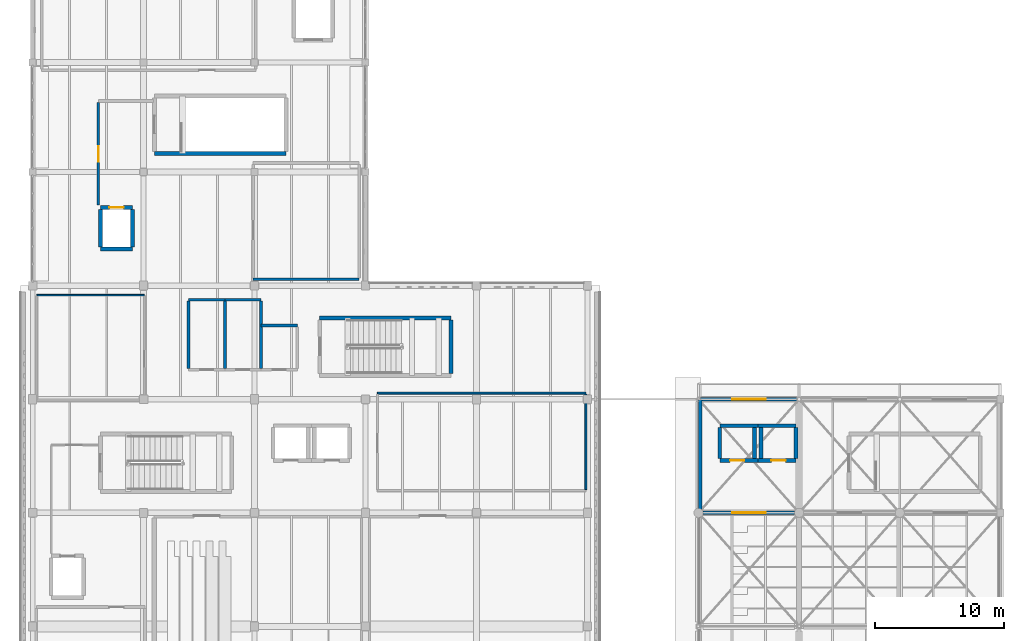
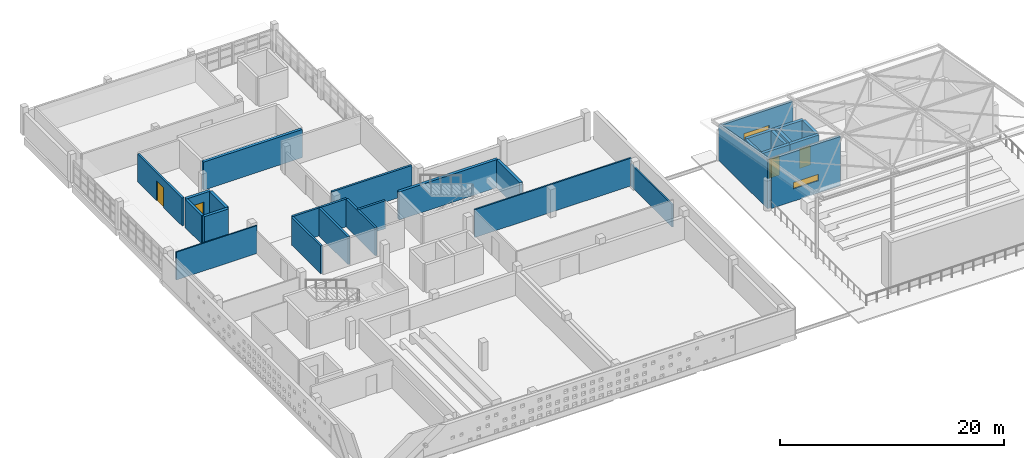
# One storey, part 26 of 34: 29 walls, 4 doors, 2 windows, 6 openings.
"""IFC4 building model written with IfcOpenShell, lengths in metres."""

from ifc_helpers import new_model, si_unit, direction, frame, frame_2d, origin, place, context, subcontext, project, spatial, polyline, rectangle, outline, extrude, material, layer, layer_set, type_object, element, fill, save


model = new_model("IFC4")

# Units and contexts
model_context = context("Model", 3, precision=1e-05, world=origin(), true_north=direction((0.0, 1.0)))
body_context = subcontext(model_context, "Body", "Model", "MODEL_VIEW")
ifc_project = project(units=[si_unit("LENGTHUNIT", "METRE"), si_unit("AREAUNIT", "SQUARE_METRE"), si_unit("VOLUMEUNIT", "CUBIC_METRE"), si_unit("PLANEANGLEUNIT", "RADIAN"), si_unit("MASSUNIT", "GRAM", prefix="KILO")], contexts=[model_context])

# Site, building, storey
site_placement = place(None, origin())
site = spatial("IfcSite", under=ifc_project, at=site_placement, CompositionType="ELEMENT")
building_placement = place(site_placement, origin())
building = spatial("IfcBuilding", under=site, at=building_placement, Name="Varnakota Cinema and Media Centre", CompositionType="ELEMENT")
storey_placement = place(building_placement, frame((0.0, 0.0, 19.050048828125)))
storey = spatial("IfcBuildingStorey", under=building, at=storey_placement, Name="L05", CompositionType="ELEMENT", Elevation=19.050048828125)

# Wall, opening, door
ifc_material_1 = material(Name="Autoclaved aerated concrete blockwork", Category="masonry")
ifc_layer_1 = layer(ifc_material_1, 0.2099609375)
ifc_layer_set_1 = layer_set([ifc_layer_1], Name="Autoclaved aerated concrete blockwork")
wall_type_1 = type_object("IfcWallType", Name="W-ACOUST-210", PredefinedType="PARTITIONING", material=ifc_layer_set_1)
wall_1_placement = place(storey_placement, frame((5.094970703125, 41.449951171875, 0.0), z_axis=(0.0, 0.0, 1.0), x_axis=(0.0, 1.0, 0.0)))
wall_1 = element("IfcWall", 1, at=wall_1_placement, inside=storey, type_object=wall_type_1, Name="L05 RWALL-RM-L05-FF-2 W wall", PredefinedType="PARTITIONING", context=body_context, shape_type="SweptSolid", body=[
    extrude(rectangle(XDim=7.949951171875, YDim=0.2099609375, at=frame_2d((3.97509765625, 0.0))), origin(), (0.0, 0.0, 1.0), 3.0400390625),
])
opening_1_placement = place(wall_1_placement, frame((3.35009765625, 0.0, 0.0)))
opening_1 = element("IfcOpeningElement", 2, at=opening_1_placement, cuts=wall_1, Name="Opening D-016", PredefinedType="OPENING", context=body_context, shape_type="SweptSolid", body=[
    extrude(rectangle(XDim=1.199951171875, YDim=2.14990234375, at=frame_2d((0.60009765625, 1.074951171875))), frame((0.0, 0.10498046875, 0.0), z_axis=(0.0, -1.0, 0.0), x_axis=(1.0, 0.0, 0.0)), (0.0, 0.0, 1.0), 0.2099609375),
])
ifc_material_2 = material(Name="Thermally broken anodised aluminium AW-6063", Category="aluminium")
door_type_1 = type_object("IfcDoorType", Name="DR-STD-1200x2150", OperationType="NOTDEFINED", PredefinedType="DOOR", material=ifc_material_2)
door_1_placement = place(opening_1_placement, origin())
door_1 = element("IfcDoor", 3, at=door_1_placement, inside=storey, type_object=door_type_1, Name="L05 door D-016", OperationType="SINGLE_SWING_RIGHT", OverallHeight=2.14990234375, OverallWidth=1.199951171875, PredefinedType="DOOR", context=body_context, shape_type="SweptSolid", body=[
    extrude(rectangle(XDim=1.199951171875, YDim=2.14990234375, at=frame_2d((0.60009765625, 1.074951171875))), frame((0.0, 0.02490234375, 0.0), z_axis=(0.0, -1.0, 0.0), x_axis=(1.0, 0.0, 0.0)), (0.0, 0.0, 1.0), 0.050048828125),
])
fill(opening_1, door_1)

# Walls
wall_2_placement = place(storey_placement, frame((25.304931640625, 35.695068359375, 0.0), z_axis=(0.0, 0.0, 1.0), x_axis=(-1.0, 0.0, 0.0)))
element("IfcWall", 4, at=wall_2_placement, inside=storey, type_object=wall_type_1, Name="L05 RWALL-RM-L05-BENG S wall", PredefinedType="PARTITIONING", context=body_context, shape_type="SweptSolid", body=[
    extrude(rectangle(XDim=8.2099609375, YDim=0.2099609375, at=frame_2d((4.10498046875, 0.0))), origin(), (0.0, 0.0, 1.0), 3.0400390625),
])
ifc_material_3 = material(Name="Concrete M40", Category="concrete")
ifc_layer_2 = layer(ifc_material_3, 0.300048828125)
ifc_layer_set_2 = layer_set([ifc_layer_2], Name="Concrete M40")
wall_type_2 = type_object("IfcWallType", Name="W-CORE-300", PredefinedType="SHEAR", material=ifc_layer_set_2)
wall_3_placement = place(storey_placement, frame((22.25, 32.699951171875, 0.0), z_axis=(0.0, 0.0, 1.0), x_axis=(1.0, 0.0, 0.0)))
element("IfcWall", 5, at=wall_3_placement, inside=storey, type_object=wall_type_2, Name="L05 CWALL-ST-02-L05 N wall", PredefinedType="SHEAR", context=body_context, shape_type="SweptSolid", body=[
    extrude(rectangle(XDim=10.179931640625, YDim=0.300048828125, at=frame_2d((5.08984375, 0.0))), origin(), (0.0, 0.0, 1.0), 3.06005859375),
])
wall_4_placement = place(storey_placement, frame((32.429931640625, 32.550048828125, 0.0), z_axis=(0.0, 0.0, 1.0), x_axis=(0.0, -1.0, 0.0)))
element("IfcWall", 6, at=wall_4_placement, inside=storey, type_object=wall_type_2, Name="L05 CWALL-ST-02-L05 E wall", PredefinedType="SHEAR", context=body_context, shape_type="SweptSolid", body=[
    extrude(rectangle(XDim=4.150146484375, YDim=0.300048828125, at=frame_2d((2.0751953125, 0.0))), origin(), (0.0, 0.0, 1.0), 3.06005859375),
])
wall_5_placement = place(storey_placement, frame((19.6298828125, 45.449951171875, 0.0), z_axis=(0.0, 0.0, 1.0), x_axis=(-1.0, 0.0, 0.0)))
element("IfcWall", 7, at=wall_5_placement, inside=storey, type_object=wall_type_2, Name="L05 CWALL-ST-03-L05 S wall", PredefinedType="SHEAR", context=body_context, shape_type="SweptSolid", body=[
    extrude(rectangle(XDim=10.179931640625, YDim=0.300048828125, at=frame_2d((5.08984375, 0.0))), origin(), (0.0, 0.0, 1.0), 3.06005859375),
])
wall_6_placement = place(storey_placement, frame((7.75, 38.050048828125, 0.0), z_axis=(0.0, 0.0, 1.0), x_axis=(-1.0, 0.0, 0.0)))
element("IfcWall", 8, at=wall_6_placement, inside=storey, type_object=wall_type_2, Name="L05 LSHAFT-LF-02-L05 S wall", PredefinedType="SHEAR", context=body_context, shape_type="SweptSolid", body=[
    extrude(rectangle(XDim=2.5, YDim=0.300048828125, at=frame_2d((1.25, 0.0))), origin(), (0.0, 0.0, 1.0), 3.06005859375),
])
wall_7_placement = place(storey_placement, frame((5.25, 38.199951171875, 0.0), z_axis=(0.0, 0.0, 1.0), x_axis=(0.0, 1.0, 0.0)))
element("IfcWall", 9, at=wall_7_placement, inside=storey, type_object=wall_type_2, Name="L05 LSHAFT-LF-02-L05 W wall", PredefinedType="SHEAR", context=body_context, shape_type="SweptSolid", body=[
    extrude(rectangle(XDim=2.900146484375, YDim=0.300048828125, at=frame_2d((1.4501953125, 0.0))), origin(), (0.0, 0.0, 1.0), 3.06005859375),
])

# Wall, opening, door
wall_8_placement = place(storey_placement, frame((5.25, 41.25, 0.0), z_axis=(0.0, 0.0, 1.0), x_axis=(1.0, 0.0, 0.0)))
wall_8 = element("IfcWall", 10, at=wall_8_placement, inside=storey, type_object=wall_type_2, Name="L05 LSHAFT-LF-02-L05 N wall", PredefinedType="SHEAR", context=body_context, shape_type="SweptSolid", body=[
    extrude(rectangle(XDim=2.5, YDim=0.300048828125, at=frame_2d((1.25, 0.0))), origin(), (0.0, 0.0, 1.0), 3.06005859375),
])
opening_2_placement = place(wall_8_placement, frame((0.699951171875, 0.0, 0.0)))
opening_2 = element("IfcOpeningElement", 11, at=opening_2_placement, cuts=wall_8, Name="Opening LD-02", PredefinedType="OPENING", context=body_context, shape_type="SweptSolid", body=[
    extrude(rectangle(XDim=1.10009765625, YDim=2.10009765625, at=frame_2d((0.550048828125, 1.050048828125))), frame((0.0, 0.14990234375, 0.0), z_axis=(0.0, -1.0, 0.0), x_axis=(1.0, 0.0, 0.0)), (0.0, 0.0, 1.0), 0.300048828125),
])
ifc_material_4 = material(Name="Thermally broken anodised aluminium AW-6063", Category="aluminium")
door_type_2 = type_object("IfcDoorType", Name="DR-LIFT-1100x2100", OperationType="SLIDING_TO_LEFT", PredefinedType="DOOR", material=ifc_material_4)
door_2_placement = place(opening_2_placement, origin())
door_2 = element("IfcDoor", 12, at=door_2_placement, inside=storey, type_object=door_type_2, Name="L05 door LD-02", OperationType="SLIDING_TO_LEFT", OverallHeight=2.10009765625, OverallWidth=1.10009765625, PredefinedType="DOOR", context=body_context, shape_type="SweptSolid", body=[
    extrude(rectangle(XDim=1.10009765625, YDim=2.10009765625, at=frame_2d((0.550048828125, 1.050048828125))), frame((0.0, 0.02490234375, 0.0), z_axis=(0.0, -1.0, 0.0), x_axis=(1.0, 0.0, 0.0)), (0.0, 0.0, 1.0), 0.050048828125),
])
fill(opening_2, door_2)

# Wall
wall_9_placement = place(storey_placement, frame((7.75, 41.10009765625, 0.0), z_axis=(0.0, 0.0, 1.0), x_axis=(0.0, -1.0, 0.0)))
element("IfcWall", 13, at=wall_9_placement, inside=storey, type_object=wall_type_2, Name="L05 LSHAFT-LF-02-L05 E wall", PredefinedType="SHEAR", context=body_context, shape_type="SweptSolid", body=[
    extrude(rectangle(XDim=2.900146484375, YDim=0.300048828125, at=frame_2d((1.4501953125, 0.0))), origin(), (0.0, 0.0, 1.0), 3.06005859375),
])

# Wall, opening, door
wall_10_placement = place(storey_placement, frame((56.199951171875, 21.64990234375, 0.0), z_axis=(0.0, 0.0, 1.0), x_axis=(-1.0, 0.0, 0.0)))
wall_10 = element("IfcWall", 14, at=wall_10_placement, inside=storey, type_object=wall_type_2, Name="L05 LSHAFT-LF-05-L05 S wall", PredefinedType="SHEAR", context=body_context, shape_type="SweptSolid", body=[
    extrude(rectangle(XDim=2.949951171875, YDim=0.300048828125, at=frame_2d((1.47509765625, 0.0))), origin(), (0.0, 0.0, 1.0), 3.06005859375),
])
opening_3_placement = place(wall_10_placement, frame((1.050048828125, 0.0, 0.0)))
opening_3 = element("IfcOpeningElement", 15, at=opening_3_placement, cuts=wall_10, Name="Opening LD-05", PredefinedType="OPENING", context=body_context, shape_type="SweptSolid", body=[
    extrude(rectangle(XDim=1.10009765625, YDim=2.10009765625, at=frame_2d((0.550048828125, 1.050048828125))), frame((0.0, 0.14990234375, 0.0), z_axis=(0.0, -1.0, 0.0), x_axis=(1.0, 0.0, 0.0)), (0.0, 0.0, 1.0), 0.300048828125),
])
door_3_placement = place(opening_3_placement, origin())
door_3 = element("IfcDoor", 16, at=door_3_placement, inside=storey, type_object=door_type_2, Name="L05 door LD-05", OperationType="SLIDING_TO_LEFT", OverallHeight=2.10009765625, OverallWidth=1.10009765625, PredefinedType="DOOR", context=body_context, shape_type="SweptSolid", body=[
    extrude(rectangle(XDim=1.10009765625, YDim=2.10009765625, at=frame_2d((0.550048828125, 1.050048828125))), frame((0.0, 0.02490234375, 0.0), z_axis=(0.0, -1.0, 0.0), x_axis=(1.0, 0.0, 0.0)), (0.0, 0.0, 1.0), 0.050048828125),
])
fill(opening_3, door_3)

# Walls
wall_11_placement = place(storey_placement, frame((53.25, 21.800048828125, 0.0), z_axis=(0.0, 0.0, 1.0), x_axis=(0.0, 1.0, 0.0)))
element("IfcWall", 17, at=wall_11_placement, inside=storey, type_object=wall_type_2, Name="L05 LSHAFT-LF-05-L05 W wall", PredefinedType="SHEAR", context=body_context, shape_type="SweptSolid", body=[
    extrude(rectangle(XDim=2.39990234375, YDim=0.300048828125, at=frame_2d((1.199951171875, 0.0))), origin(), (0.0, 0.0, 1.0), 3.06005859375),
])
wall_12_placement = place(storey_placement, frame((53.25, 24.35009765625, 0.0), z_axis=(0.0, 0.0, 1.0), x_axis=(1.0, 0.0, 0.0)))
element("IfcWall", 18, at=wall_12_placement, inside=storey, type_object=wall_type_2, Name="L05 LSHAFT-LF-05-L05 N wall", PredefinedType="SHEAR", context=body_context, shape_type="SweptSolid", body=[
    extrude(rectangle(XDim=2.949951171875, YDim=0.300048828125, at=frame_2d((1.47509765625, 0.0))), origin(), (0.0, 0.0, 1.0), 3.06005859375),
])
wall_13_placement = place(storey_placement, frame((55.949951171875, 24.199951171875, 0.0), z_axis=(0.0, 0.0, 1.0), x_axis=(0.0, -1.0, 0.0)))
element("IfcWall", 19, at=wall_13_placement, inside=storey, type_object=wall_type_2, Name="L05 LSHAFT-LF-05-L05 E wall", PredefinedType="SHEAR", context=body_context, shape_type="SweptSolid", body=[
    extrude(rectangle(XDim=2.39990234375, YDim=0.300048828125, at=frame_2d((1.199951171875, 0.0))), origin(), (0.0, 0.0, 1.0), 3.06005859375),
])

# Wall, opening, door
wall_14_placement = place(storey_placement, frame((59.14990234375, 21.64990234375, 0.0), z_axis=(0.0, 0.0, 1.0), x_axis=(-1.0, 0.0, 0.0)))
wall_14 = element("IfcWall", 20, at=wall_14_placement, inside=storey, type_object=wall_type_2, Name="L05 LSHAFT-LF-06-L05 S wall", PredefinedType="SHEAR", context=body_context, shape_type="SweptSolid", body=[
    extrude(rectangle(XDim=2.949951171875, YDim=0.300048828125, at=frame_2d((1.47509765625, 0.0))), origin(), (0.0, 0.0, 1.0), 3.06005859375),
])
opening_4_placement = place(wall_14_placement, frame((0.800048828125, 0.0, 0.0)))
opening_4 = element("IfcOpeningElement", 21, at=opening_4_placement, cuts=wall_14, Name="Opening LD-06", PredefinedType="OPENING", context=body_context, shape_type="SweptSolid", body=[
    extrude(rectangle(XDim=1.10009765625, YDim=2.10009765625, at=frame_2d((0.550048828125, 1.050048828125))), frame((0.0, 0.14990234375, 0.0), z_axis=(0.0, -1.0, 0.0), x_axis=(1.0, 0.0, 0.0)), (0.0, 0.0, 1.0), 0.300048828125),
])
door_4_placement = place(opening_4_placement, origin())
door_4 = element("IfcDoor", 22, at=door_4_placement, inside=storey, type_object=door_type_2, Name="L05 door LD-06", OperationType="SLIDING_TO_LEFT", OverallHeight=2.10009765625, OverallWidth=1.10009765625, PredefinedType="DOOR", context=body_context, shape_type="SweptSolid", body=[
    extrude(rectangle(XDim=1.10009765625, YDim=2.10009765625, at=frame_2d((0.550048828125, 1.050048828125))), frame((0.0, 0.02490234375, 0.0), z_axis=(0.0, -1.0, 0.0), x_axis=(1.0, 0.0, 0.0)), (0.0, 0.0, 1.0), 0.050048828125),
])
fill(opening_4, door_4)

# Walls
wall_15_placement = place(storey_placement, frame((56.449951171875, 21.800048828125, 0.0), z_axis=(0.0, 0.0, 1.0), x_axis=(0.0, 1.0, 0.0)))
element("IfcWall", 23, at=wall_15_placement, inside=storey, type_object=wall_type_2, Name="L05 LSHAFT-LF-06-L05 W wall", PredefinedType="SHEAR", context=body_context, shape_type="SweptSolid", body=[
    extrude(rectangle(XDim=2.39990234375, YDim=0.300048828125, at=frame_2d((1.199951171875, 0.0))), origin(), (0.0, 0.0, 1.0), 3.06005859375),
])
wall_16_placement = place(storey_placement, frame((56.199951171875, 24.35009765625, 0.0), z_axis=(0.0, 0.0, 1.0), x_axis=(1.0, 0.0, 0.0)))
element("IfcWall", 24, at=wall_16_placement, inside=storey, type_object=wall_type_2, Name="L05 LSHAFT-LF-06-L05 N wall", PredefinedType="SHEAR", context=body_context, shape_type="SweptSolid", body=[
    extrude(rectangle(XDim=2.949951171875, YDim=0.300048828125, at=frame_2d((1.47509765625, 0.0))), origin(), (0.0, 0.0, 1.0), 3.06005859375),
])
wall_17_placement = place(storey_placement, frame((59.14990234375, 24.199951171875, 0.0), z_axis=(0.0, 0.0, 1.0), x_axis=(0.0, -1.0, 0.0)))
element("IfcWall", 25, at=wall_17_placement, inside=storey, type_object=wall_type_2, Name="L05 LSHAFT-LF-06-L05 E wall", PredefinedType="SHEAR", context=body_context, shape_type="SweptSolid", body=[
    extrude(rectangle(XDim=2.39990234375, YDim=0.300048828125, at=frame_2d((1.199951171875, 0.0))), origin(), (0.0, 0.0, 1.0), 3.06005859375),
])

# Wall, opening, window
ifc_material_5 = material(Name="Pale Tandur limestone cladding", Category="masonry")
ifc_layer_3 = layer(ifc_material_5, 0.27001953125)
ifc_layer_set_3 = layer_set([ifc_layer_3], Name="Pale Tandur limestone cladding")
wall_type_3 = type_object("IfcWallType", Name="W-EXT-PAV-270", PredefinedType="SOLIDWALL", material=ifc_layer_set_3)
wall_18_placement = place(storey_placement, frame((59.050048828125, 17.60009765625, 0.0), z_axis=(0.0, 0.0, 1.0), x_axis=(-1.0, 0.0, 0.0)))
wall_18 = element("IfcWall", 26, at=wall_18_placement, inside=storey, type_object=wall_type_3, Name="L05 exterior wall V3-S-3", PredefinedType="SOLIDWALL", context=body_context, shape_type="SweptSolid", body=[
    extrude(rectangle(XDim=7.10009765625, YDim=0.27001953125, at=frame_2d((3.550048828125, 0.0))), origin(), (0.0, 0.0, 1.0), 5.369873046875),
])
opening_5_placement = place(wall_18_placement, frame((2.25, 0.0, 1.35009765625)))
opening_5 = element("IfcOpeningElement", 27, at=opening_5_placement, cuts=wall_18, Name="Opening WR02", PredefinedType="OPENING", context=body_context, shape_type="SweptSolid", body=[
    extrude(rectangle(XDim=2.60009765625, YDim=0.699951171875, at=frame_2d((1.300048828125, 0.35009765625))), frame((0.0, 0.135009765625, 0.0), z_axis=(0.0, -1.0, 0.0), x_axis=(1.0, 0.0, 0.0)), (0.0, 0.0, 1.0), 0.27001953125),
])
ifc_material_6 = material(Name="Laminated solar-control double glazing", Category="glass")
window_type = type_object("IfcWindowType", Name="WIN-SLOT-260x070", PartitioningType="SINGLE_PANEL", PredefinedType="WINDOW", material=ifc_material_6)
window_1_placement = place(opening_5_placement, origin())
window_1 = element("IfcWindow", 28, at=window_1_placement, inside=storey, type_object=window_type, Name="L05 window WR02", OverallHeight=0.699951171875, OverallWidth=2.60009765625, PartitioningType="SINGLE_PANEL", PredefinedType="WINDOW", context=body_context, shape_type="SweptSolid", body=[
    extrude(rectangle(XDim=2.60009765625, YDim=0.699951171875, at=frame_2d((1.300048828125, 0.35009765625))), frame((0.0, 0.030029296875, 0.0), z_axis=(0.0, -1.0, 0.0), x_axis=(1.0, 0.0, 0.0)), (0.0, 0.0, 1.0), 0.06005859375),
])
fill(opening_5, window_1)

wall_19_placement = place(storey_placement, frame((51.761962890625, 26.39990234375, 0.0), z_axis=(0.0, 0.0, 1.0), x_axis=(1.0, 0.0, 0.0)))
wall_19 = element("IfcWall", 29, at=wall_19_placement, inside=storey, type_object=wall_type_3, Name="L05 exterior wall V3-N-1", PredefinedType="SOLIDWALL", context=body_context, shape_type="SweptSolid", body=[
    extrude(rectangle(XDim=7.47607421875, YDim=0.27001953125, at=frame_2d((3.738037109375, 0.0))), origin(), (0.0, 0.0, 1.0), 3.7900390625),
])
opening_6_placement = place(wall_19_placement, frame((2.43798828125, 0.0, 1.35009765625)))
opening_6 = element("IfcOpeningElement", 30, at=opening_6_placement, cuts=wall_19, Name="Opening WR02", PredefinedType="OPENING", context=body_context, shape_type="SweptSolid", body=[
    extrude(rectangle(XDim=2.60009765625, YDim=0.699951171875, at=frame_2d((1.300048828125, 0.35009765625))), frame((0.0, 0.135009765625, 0.0), z_axis=(0.0, -1.0, 0.0), x_axis=(1.0, 0.0, 0.0)), (0.0, 0.0, 1.0), 0.27001953125),
])
window_2_placement = place(opening_6_placement, origin())
window_2 = element("IfcWindow", 31, at=window_2_placement, inside=storey, type_object=window_type, Name="L05 window WR02", OverallHeight=0.699951171875, OverallWidth=2.60009765625, PartitioningType="SINGLE_PANEL", PredefinedType="WINDOW", context=body_context, shape_type="SweptSolid", body=[
    extrude(rectangle(XDim=2.60009765625, YDim=0.699951171875, at=frame_2d((1.300048828125, 0.35009765625))), frame((0.0, 0.030029296875, 0.0), z_axis=(0.0, -1.0, 0.0), x_axis=(1.0, 0.0, 0.0)), (0.0, 0.0, 1.0), 0.06005859375),
])
fill(opening_6, window_2)

# Walls
wall_20_placement = place(storey_placement, frame((51.75, 26.39990234375, 0.0), z_axis=(0.0, 0.0, 1.0), x_axis=(0.0, -1.0, 0.0)))
element("IfcWall", 32, at=wall_20_placement, inside=storey, type_object=wall_type_3, Name="L05 V3 rooftop pavilion sloped side wall V3-W", PredefinedType="SOLIDWALL", context=body_context, shape_type="SweptSolid", body=[
    extrude(outline(polyline([(0.0, 0.0), (8.7998046875, 0.0), (8.800048828125, 5.39990234375), (0.0, 3.81591796875), (0.0, 0.0)])), frame((0.0, 0.135009765625, 0.0), z_axis=(0.0, -1.0, 0.0), x_axis=(1.0, 0.0, 0.0)), (0.0, 0.0, 1.0), 0.27001953125),
])
ifc_material_7 = material(Name="Autoclaved aerated concrete blockwork", Category="masonry")
ifc_layer_4 = layer(ifc_material_7, 0.1298828125)
ifc_layer_set_4 = layer_set([ifc_layer_4], Name="Autoclaved aerated concrete blockwork")
wall_type_4 = type_object("IfcWallType", Name="W-PART-130", PredefinedType="PARTITIONING", material=ifc_layer_set_4)
wall_21_placement = place(storey_placement, frame((0.3349609375, 34.465087890625, 0.0), z_axis=(0.0, 0.0, 1.0), x_axis=(1.0, 0.0, 0.0)))
element("IfcWall", 33, at=wall_21_placement, inside=storey, type_object=wall_type_4, Name="L05 RWALL-RM-L05-READ5 N wall", PredefinedType="PARTITIONING", context=body_context, shape_type="SweptSolid", body=[
    extrude(rectangle(XDim=8.330078125, YDim=0.1298828125, at=frame_2d((4.1650390625, 0.0))), origin(), (0.0, 0.0, 1.0), 3.0400390625),
])
ifc_material_8 = material(Name="Autoclaved aerated concrete blockwork", Category="masonry")
ifc_layer_5 = layer(ifc_material_8, 0.14990234375)
ifc_layer_set_5 = layer_set([ifc_layer_5], Name="Autoclaved aerated concrete blockwork")
wall_type_5 = type_object("IfcWallType", Name="W-PART-150", PredefinedType="PARTITIONING", material=ifc_layer_set_5)
wall_22_placement = place(storey_placement, frame((26.72509765625, 26.875, 0.0), z_axis=(0.0, 0.0, 1.0), x_axis=(1.0, 0.0, 0.0)))
element("IfcWall", 34, at=wall_22_placement, inside=storey, type_object=wall_type_5, Name="L05 RWALL-RM-L05-LOUNGE5 N wall", PredefinedType="PARTITIONING", context=body_context, shape_type="SweptSolid", body=[
    extrude(rectangle(XDim=16.14990234375, YDim=0.14990234375, at=frame_2d((8.074951171875, 0.0))), origin(), (0.0, 0.0, 1.0), 3.0400390625),
])
wall_23_placement = place(storey_placement, frame((42.875, 26.800048828125, 0.0), z_axis=(0.0, 0.0, 1.0), x_axis=(0.0, -1.0, 0.0)))
element("IfcWall", 35, at=wall_23_placement, inside=storey, type_object=wall_type_5, Name="L05 RWALL-RM-L05-LOUNGE5 E wall", PredefinedType="PARTITIONING", context=body_context, shape_type="SweptSolid", body=[
    extrude(rectangle(XDim=7.400146484375, YDim=0.14990234375, at=frame_2d((3.7001953125, 0.0))), origin(), (0.0, 0.0, 1.0), 2.43994140625),
])
ifc_material_9 = material(Name="Autoclaved aerated concrete blockwork", Category="masonry")
ifc_layer_6 = layer(ifc_material_9, 0.219970703125)
ifc_layer_set_6 = layer_set([ifc_layer_6], Name="Autoclaved aerated concrete blockwork")
wall_type_6 = type_object("IfcWallType", Name="W-PLUMB-220", PredefinedType="PLUMBINGWALL", material=ifc_layer_set_6)
wall_24_placement = place(storey_placement, frame((12.090087890625, 28.800048828125, 0.0), z_axis=(0.0, 0.0, 1.0), x_axis=(0.0, 1.0, 0.0)))
element("IfcWall", 36, at=wall_24_placement, inside=storey, type_object=wall_type_6, Name="L05 RWALL-RM-L05-WCM W wall", PredefinedType="PLUMBINGWALL", context=body_context, shape_type="SweptSolid", body=[
    extrude(rectangle(XDim=5.199951171875, YDim=0.219970703125, at=frame_2d((2.60009765625, 0.0))), origin(), (0.0, 0.0, 1.0), 3.0400390625),
])
wall_25_placement = place(storey_placement, frame((12.090087890625, 34.110107421875, 0.0), z_axis=(0.0, 0.0, 1.0), x_axis=(1.0, 0.0, 0.0)))
element("IfcWall", 37, at=wall_25_placement, inside=storey, type_object=wall_type_6, Name="L05 RWALL-RM-L05-WCM N wall", PredefinedType="PLUMBINGWALL", context=body_context, shape_type="SweptSolid", body=[
    extrude(rectangle(XDim=2.81982421875, YDim=0.219970703125, at=frame_2d((1.409912109375, 0.0))), origin(), (0.0, 0.0, 1.0), 3.0400390625),
])
wall_26_placement = place(storey_placement, frame((14.909912109375, 34.0, 0.0), z_axis=(0.0, 0.0, 1.0), x_axis=(0.0, -1.0, 0.0)))
element("IfcWall", 38, at=wall_26_placement, inside=storey, type_object=wall_type_6, Name="L05 RWALL-RM-L05-WCM E wall", PredefinedType="PLUMBINGWALL", context=body_context, shape_type="SweptSolid", body=[
    extrude(rectangle(XDim=5.199951171875, YDim=0.219970703125, at=frame_2d((2.60009765625, 0.0))), origin(), (0.0, 0.0, 1.0), 3.0400390625),
])
wall_27_placement = place(storey_placement, frame((14.889892578125, 34.110107421875, 0.0), z_axis=(0.0, 0.0, 1.0), x_axis=(1.0, 0.0, 0.0)))
element("IfcWall", 39, at=wall_27_placement, inside=storey, type_object=wall_type_6, Name="L05 RWALL-RM-L05-WCF N wall", PredefinedType="PLUMBINGWALL", context=body_context, shape_type="SweptSolid", body=[
    extrude(rectangle(XDim=2.820068359375, YDim=0.219970703125, at=frame_2d((1.41015625, 0.0))), origin(), (0.0, 0.0, 1.0), 3.0400390625),
])
wall_28_placement = place(storey_placement, frame((17.7099609375, 34.0, 0.0), z_axis=(0.0, 0.0, 1.0), x_axis=(0.0, -1.0, 0.0)))
element("IfcWall", 40, at=wall_28_placement, inside=storey, type_object=wall_type_6, Name="L05 RWALL-RM-L05-WCF E wall", PredefinedType="PLUMBINGWALL", context=body_context, shape_type="SweptSolid", body=[
    extrude(rectangle(XDim=5.199951171875, YDim=0.219970703125, at=frame_2d((2.60009765625, 0.0))), origin(), (0.0, 0.0, 1.0), 3.0400390625),
])
wall_29_placement = place(storey_placement, frame((17.68994140625, 32.110107421875, 0.0), z_axis=(0.0, 0.0, 1.0), x_axis=(1.0, 0.0, 0.0)))
element("IfcWall", 41, at=wall_29_placement, inside=storey, type_object=wall_type_6, Name="L05 RWALL-RM-L05-WCA N wall", PredefinedType="PLUMBINGWALL", context=body_context, shape_type="SweptSolid", body=[
    extrude(rectangle(XDim=2.820068359375, YDim=0.219970703125, at=frame_2d((1.41015625, 0.0))), origin(), (0.0, 0.0, 1.0), 3.0400390625),
])

save(model, "model.ifc")
